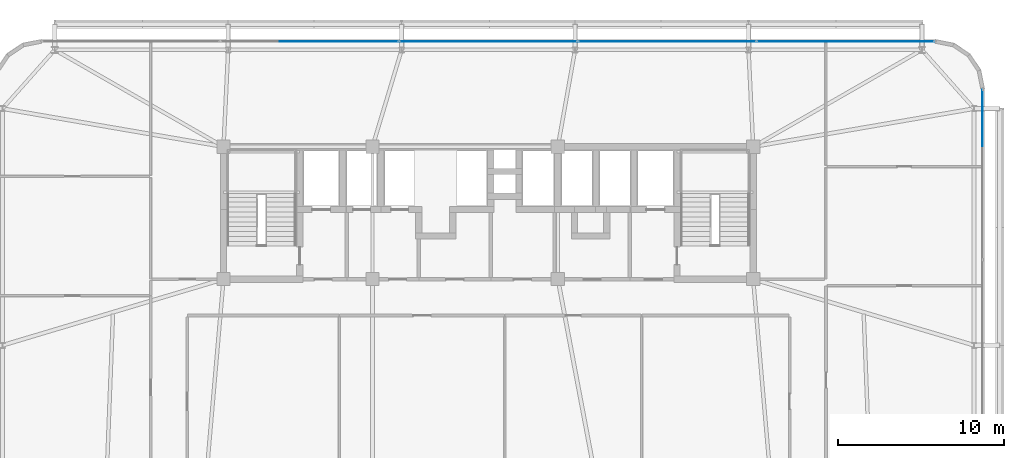
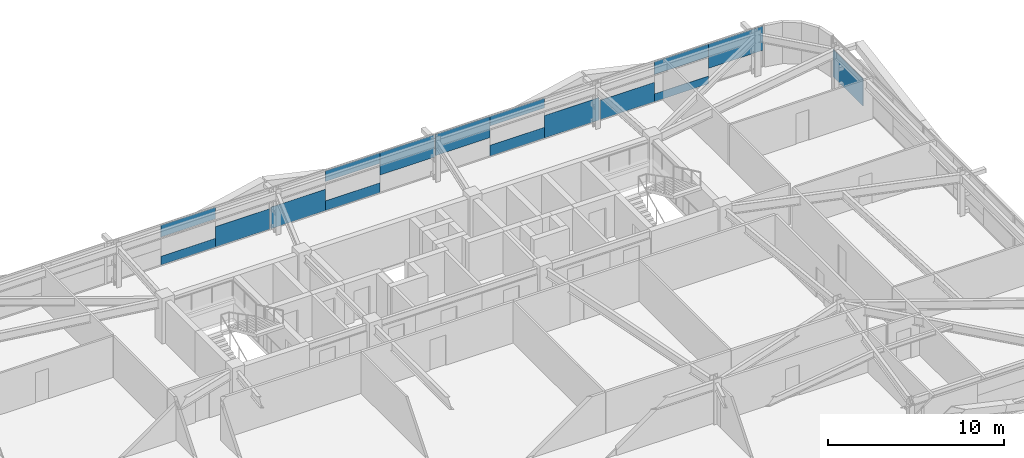
# One storey, part 30 of 45: 16 plates, 2 elements without a shape of their own.
"""IFC4 building model written with IfcOpenShell, lengths in metres."""

import ifcopenshell
import ifcopenshell.guid

model = None  # the IFC model being written
_history = None  # IfcOwnerHistory: only IFC2X3 demands one
_inside = {}  # id of a spatial element -> (the spatial element, [elements in it])
_under = {}  # id of a project, library or spatial element -> (it, [spatial elements below it])
_declared = {}  # id of a project -> (the project, [libraries it declares])
_typed = {}  # id of a type object -> (the type object, [elements of that type])
_made_of = {}  # id of a material, layer set ... -> (it, [elements and type objects made of it])


def new_model(schema):
    """Start an empty IFC model of exactly this schema.

    Asked for "IFC4X3", IfcOpenShell would pick the latest addendum, in which some entities
    have other attributes; the version numbers below select the first issue.
    IFC2X3 requires an IfcOwnerHistory on every rooted entity: one is made here for all.
    """
    global model, _history
    if schema == "IFC4X3":
        model = ifcopenshell.file(schema_version=(4, 3, 0, 0))
    else:
        model = ifcopenshell.file(schema=schema)
    _inside.clear()
    _under.clear()
    _declared.clear()
    _typed.clear()
    _made_of.clear()
    _history = None
    if model.schema == "IFC2X3":
        org = make("IfcOrganization", Name="unknown")
        user = make(
            "IfcPersonAndOrganization",
            ThePerson=make("IfcPerson", FamilyName="unknown"),
            TheOrganization=org,
        )
        app = make(
            "IfcApplication",
            ApplicationDeveloper=org,
            Version="unknown",
            ApplicationFullName="unknown",
            ApplicationIdentifier="unknown",
        )
        _history = make(
            "IfcOwnerHistory",
            OwningUser=user,
            OwningApplication=app,
            ChangeAction="ADDED",
            CreationDate=0,
        )
    return model


def make(cls, **values):
    """One entity of the class cls with the attributes given. An attribute that is None is left unset."""
    return model.create_entity(
        cls, **{name: value for name, value in values.items() if value is not None}
    )


def rooted(cls, **values):
    """An entity with a GlobalId (a new one), such as an element, a storey or a relation."""
    return make(cls, GlobalId=ifcopenshell.guid.new(), OwnerHistory=_history, **values)


def si_unit(unit_type, name, prefix=None):
    """IfcSIUnit, for example si_unit("LENGTHUNIT", "METRE", prefix="MILLI")."""
    return make("IfcSIUnit", UnitType=unit_type, Prefix=prefix, Name=name)


def assignment(units):
    """IfcUnitAssignment: the units of a project."""
    return None if units is None else make("IfcUnitAssignment", Units=units)


def point(xyz):
    """IfcCartesianPoint."""
    return None if xyz is None else make("IfcCartesianPoint", Coordinates=xyz)


def direction(xyz):
    """IfcDirection."""
    return None if xyz is None else make("IfcDirection", DirectionRatios=xyz)


def frame(location, z_axis=None, x_axis=None):
    """IfcAxis2Placement3D, a coordinate frame: its origin and axes. An axis left out is left unset."""
    return make(
        "IfcAxis2Placement3D",
        Location=point(location),
        Axis=direction(z_axis),
        RefDirection=direction(x_axis),
    )


def frame_2d(location, x_axis=None):
    """IfcAxis2Placement2D, a coordinate frame in the plane: its origin and x axis."""
    return make(
        "IfcAxis2Placement2D", Location=point(location), RefDirection=direction(x_axis)
    )


def origin():
    """The frame at (0, 0, 0) with its axes left unset."""
    return frame((0.0, 0.0, 0.0))


def origin_2d():
    """The frame at (0, 0) in the plane with its x axis left unset."""
    return frame_2d((0.0, 0.0))


def place(relative_to, where):
    """IfcLocalPlacement: puts the frame where relative to a parent placement (None: the world)."""
    return make(
        "IfcLocalPlacement", PlacementRelTo=relative_to, RelativePlacement=where
    )


def context(
    kind, dimensions, precision=None, world=None, true_north=None, identifier=None
):
    """IfcGeometricRepresentationContext, for example the 3D "Model" context."""
    return make(
        "IfcGeometricRepresentationContext",
        ContextIdentifier=identifier,
        ContextType=kind,
        CoordinateSpaceDimension=dimensions,
        Precision=precision,
        WorldCoordinateSystem=world,
        TrueNorth=true_north,
    )


def subcontext(parent, identifier, kind, view, scale=None):
    """IfcGeometricRepresentationSubContext, for example "Body" below "Model"."""
    return make(
        "IfcGeometricRepresentationSubContext",
        ContextIdentifier=identifier,
        ContextType=kind,
        ParentContext=parent,
        TargetScale=scale,
        TargetView=view,
    )


def project(units=None, contexts=None):
    """IfcProject with its units and contexts."""
    return rooted(
        "IfcProject",
        Name="project",
        RepresentationContexts=contexts,
        UnitsInContext=assignment(units),
    )


def spatial(cls, under=None, at=None, **own):
    """A site, building, storey or space (cls), placed at a placement, below another one or the project."""
    s = rooted(cls, ObjectPlacement=at, **own)
    if under is not None:
        _under.setdefault(under.id(), (under, []))[1].append(s)
    return s


def profile(cls, at=None, kind="AREA", **sizes):
    """A parametric profile (cls). Its sizes go by their IFC names, for example OverallWidth=200.0."""
    return make(cls, ProfileType=kind, Position=at, **sizes)


def rectangle(**sizes):
    """IfcRectangleProfileDef."""
    return profile("IfcRectangleProfileDef", **sizes)


def extrude(swept, where, along, depth):
    """IfcExtrudedAreaSolid: the profile swept, set in the frame where, extruded along a direction by depth."""
    return make(
        "IfcExtrudedAreaSolid",
        SweptArea=swept,
        Position=where,
        ExtrudedDirection=direction(along),
        Depth=depth,
    )


def shape(context_of_items, identifier, shape_type, items):
    """IfcShapeRepresentation: the items that make up one representation, for example the "Body"."""
    return make(
        "IfcShapeRepresentation",
        ContextOfItems=context_of_items,
        RepresentationIdentifier=identifier,
        RepresentationType=shape_type,
        Items=items,
    )


def source(mapping_origin, context_of_items, identifier, shape_type, items):
    """IfcRepresentationMap: a shape defined once, which mapped items show again and again."""
    return make(
        "IfcRepresentationMap",
        MappingOrigin=mapping_origin,
        MappedRepresentation=shape(context_of_items, identifier, shape_type, items),
    )


def transform(
    local_origin,
    x_axis=None,
    y_axis=None,
    z_axis=None,
    scale=None,
    scale2=None,
    scale3=None,
    uniform=True,
):
    """IfcCartesianTransformationOperator3D, or its non-uniform kind. x_axis, y_axis, z_axis: its Axis1, 2, 3."""
    if uniform:
        return make(
            "IfcCartesianTransformationOperator3D",
            Axis1=direction(x_axis),
            Axis2=direction(y_axis),
            LocalOrigin=point(local_origin),
            Scale=scale,
            Axis3=direction(z_axis),
        )
    return make(
        "IfcCartesianTransformationOperator3DnonUniform",
        Axis1=direction(x_axis),
        Axis2=direction(y_axis),
        LocalOrigin=point(local_origin),
        Scale=scale,
        Axis3=direction(z_axis),
        Scale2=scale2,
        Scale3=scale3,
    )


def mapped(mapping_source, mapping_target):
    """IfcMappedItem: shows the shape of a source again, moved by a transform."""
    return make(
        "IfcMappedItem", MappingSource=mapping_source, MappingTarget=mapping_target
    )


def material(Name=None, Category=None):
    """IfcMaterial."""
    return make("IfcMaterial", Name=Name, Category=Category)


def layer(
    of_material, thickness, ventilated=None, Name=None, Category=None, Priority=None
):
    """IfcMaterialLayer: one layer of a wall or slab, of a material (None: an air gap)."""
    return make(
        "IfcMaterialLayer",
        Material=of_material,
        LayerThickness=thickness,
        IsVentilated=ventilated,
        Name=Name,
        Category=Category,
        Priority=Priority,
    )


def layer_set(layers, Name=None):
    """IfcMaterialLayerSet."""
    return make("IfcMaterialLayerSet", MaterialLayers=layers, LayerSetName=Name)


def made_of(thing, what):
    """Note that an element or type object is made of a material, layer set ...; save() writes the relation."""
    if what is not None:
        _made_of.setdefault(what.id(), (what, []))[1].append(thing)
    return thing


def type_object(cls, material=None, **own):
    """A type object (cls), such as IfcWallType, which elements share."""
    return made_of(rooted(cls, **own), material)


def element(
    cls,
    number,
    at=None,
    inside=None,
    cuts=None,
    type_object=None,
    material=None,
    context=None,
    identifier="Body",
    shape_type=None,
    held_by="IfcProductDefinitionShape",
    body=None,
    shapes=None,
    **own,
):
    """One element of the class cls, such as IfcWall. Its Tag is "e" and its number.

    at: its placement. inside: the storey or other place that contains it. cuts: it is an
    opening in that element (IfcRelVoidsElement). A single representation is given by context,
    identifier, shape_type and body (its items); several are given by shapes. held_by: the class
    of the entity that holds the representations. save() writes the other relations.
    """
    e = rooted(cls, Tag="e%d" % number, ObjectPlacement=at, **own)
    if body is not None:
        shapes = [shape(context, identifier, shape_type, body)]
    if shapes is not None:
        e.Representation = make(held_by, Representations=shapes)
    if inside is not None:
        _inside.setdefault(inside.id(), (inside, []))[1].append(e)
    if cuts is not None:
        rooted(
            "IfcRelVoidsElement", RelatingBuildingElement=cuts, RelatedOpeningElement=e
        )
    if type_object is not None:
        _typed.setdefault(type_object.id(), (type_object, []))[1].append(e)
    return made_of(e, material)


def aggregate(whole, parts):
    """IfcRelAggregates: a whole, such as a stair, and the parts it consists of."""
    return rooted("IfcRelAggregates", RelatingObject=whole, RelatedObjects=parts)


def save(model, path):
    """Write the relations noted so far, then the file.

    IfcRelAggregates (storeys below a building ...), IfcRelContainedInSpatialStructure (elements
    in a storey), IfcRelDefinesByType, IfcRelAssociatesMaterial and IfcRelDeclares: one each for
    every whole, place, type object, material and project.
    """
    for whole, parts in _under.values():
        aggregate(whole, parts)
    for where, things in _inside.values():
        rooted(
            "IfcRelContainedInSpatialStructure",
            RelatedElements=things,
            RelatingStructure=where,
        )
    for kind, things in _typed.values():
        rooted("IfcRelDefinesByType", RelatedObjects=things, RelatingType=kind)
    for what, things in _made_of.values():
        rooted("IfcRelAssociatesMaterial", RelatedObjects=things, RelatingMaterial=what)
    for by, libraries in _declared.values():
        rooted("IfcRelDeclares", RelatingContext=by, RelatedDefinitions=libraries)
    model.write(path)


model = new_model("IFC4")

# Units and contexts
model_context = context("Model", 3, precision=1e-05, world=origin(), true_north=direction((0.0, 1.0)))
body_context = subcontext(model_context, "Body", "Model", "MODEL_VIEW")
ifc_project = project(units=[si_unit("LENGTHUNIT", "METRE"), si_unit("AREAUNIT", "SQUARE_METRE"), si_unit("VOLUMEUNIT", "CUBIC_METRE"), si_unit("PLANEANGLEUNIT", "RADIAN"), si_unit("MASSUNIT", "GRAM", prefix="KILO")], contexts=[model_context])

# Site, building, storey
site_placement = place(None, origin())
site = spatial("IfcSite", under=ifc_project, at=site_placement, CompositionType="ELEMENT")
building_placement = place(site_placement, origin())
building = spatial("IfcBuilding", under=site, at=building_placement, Name="Taldren Reach Tower", CompositionType="ELEMENT")
storey_placement = place(building_placement, frame((0.0, 0.0, 57.75)))
storey = spatial("IfcBuildingStorey", under=building, at=storey_placement, Name="L17", CompositionType="ELEMENT", Elevation=57.75)

# Curtain wall, plates
ifc_material_1 = material(Name="Aluminium and Low-E Glass Unitised System", Category="aluminium")
ifc_layer_1 = layer(ifc_material_1, 0.159912109375)
ifc_layer_set_1 = layer_set([ifc_layer_1], Name="Aluminium and Low-E Glass Unitised System")
curtain_wall_type = type_object("IfcCurtainWallType", Name="CW-SYS-2", PredefinedType="NOTDEFINED", material=ifc_layer_set_1)
curtain_wall_1_placement = place(storey_placement, origin())
curtain_wall_1 = element("IfcCurtainWall", 1, at=curtain_wall_1_placement, inside=storey, type_object=curtain_wall_type, Name="Unitised curtain wall CW-L17-N", PredefinedType="NOTDEFINED")
ifc_material_2 = material(Name="Solar-Control Double Glazed IGU", Category="glass")
ifc_layer_2 = layer(ifc_material_2, 0.031982421875)
ifc_layer_set_2 = layer_set([ifc_layer_2], Name="Solar-Control Double Glazed IGU")
plate_type = type_object("IfcPlateType", Name="CW-PNL-IGU32", PredefinedType="CURTAIN_PANEL", material=ifc_layer_set_2)
shared_shape_1 = source(origin(), body_context, "Body", "SweptSolid", [
    extrude(rectangle(XDim=3.578369140625, YDim=0.031982421875, at=origin_2d()), origin(), (0.0, 0.0, 1.0), 0.606689453125),
])
plate_1_placement = place(storey_placement, frame((24.199951171875, 38.360107421875, 0.05517578125), z_axis=(0.0, 0.0, 1.0), x_axis=(-1.0, 0.0, 0.0)))
plate_1 = element("IfcPlate", 2, at=plate_1_placement, type_object=plate_type, Name="CW-2 panel 4.1 part 2", PredefinedType="CURTAIN_PANEL", context=body_context, shape_type="MappedRepresentation", body=[
    mapped(shared_shape_1, transform((0.0, 0.0, 0.0), scale=1.0)),
])
shared_shape_2 = source(origin(), body_context, "Body", "SweptSolid", [
    extrude(rectangle(XDim=3.578369140625, YDim=0.031982421875, at=origin_2d()), origin(), (0.0, 0.0, 1.0), 0.811279296875),
])
plate_2_placement = place(storey_placement, frame((24.199951171875, 38.360107421875, 2.00390625), z_axis=(0.0, 0.0, 1.0), x_axis=(-1.0, 0.0, 0.0)))
plate_2 = element("IfcPlate", 3, at=plate_2_placement, type_object=plate_type, Name="CW-2 panel 4.1 part 3", PredefinedType="CURTAIN_PANEL", context=body_context, shape_type="MappedRepresentation", body=[
    mapped(shared_shape_2, transform((0.0, 0.0, 0.0), scale=1.0)),
])
shared_shape_3 = source(origin(), body_context, "Body", "SweptSolid", [
    extrude(rectangle(XDim=3.578369140625, YDim=0.031982421875, at=origin_2d()), origin(), (0.0, 0.0, 1.0), 1.415771484375),
])
plate_3_placement = place(storey_placement, frame((27.7783203125, 38.360107421875, 0.05517578125), z_axis=(0.0, 0.0, 1.0), x_axis=(-1.0, 0.0, 0.0)))
plate_3 = element("IfcPlate", 4, at=plate_3_placement, type_object=plate_type, Name="CW-2 panel 4.1 part 1", PredefinedType="CURTAIN_PANEL", context=body_context, shape_type="MappedRepresentation", body=[
    mapped(shared_shape_3, transform((0.0, 0.0, 0.0), scale=1.0)),
])
shared_shape_4 = source(origin(), body_context, "Body", "SweptSolid", [
    extrude(rectangle(XDim=3.578369140625, YDim=0.031982421875, at=origin_2d()), origin(), (0.0, 0.0, 1.0), 1.48828125),
])
plate_4_placement = place(storey_placement, frame((31.421630859375, 38.360107421875, 0.054931640625), z_axis=(0.0, 0.0, 1.0), x_axis=(-1.0, 0.0, 0.0)))
plate_4 = element("IfcPlate", 5, at=plate_4_placement, type_object=plate_type, Name="CW-2 panel 3.1 part 4", PredefinedType="CURTAIN_PANEL", context=body_context, shape_type="MappedRepresentation", body=[
    mapped(shared_shape_4, transform((0.0, 0.0, 0.0), scale=1.0)),
])
shared_shape_5 = source(origin(), body_context, "Body", "SweptSolid", [
    extrude(rectangle(XDim=3.578369140625, YDim=0.031982421875, at=origin_2d()), origin(), (0.0, 0.0, 1.0), 0.678955078125),
])
plate_5_placement = place(storey_placement, frame((35.0, 38.360107421875, 0.05517578125), z_axis=(0.0, 0.0, 1.0), x_axis=(-1.0, 0.0, 0.0)))
plate_5 = element("IfcPlate", 6, at=plate_5_placement, type_object=plate_type, Name="CW-2 panel 3.1 part 2", PredefinedType="CURTAIN_PANEL", context=body_context, shape_type="MappedRepresentation", body=[
    mapped(shared_shape_5, transform((0.0, 0.0, 0.0), scale=1.0)),
])
shared_shape_6 = source(origin(), body_context, "Body", "SweptSolid", [
    extrude(rectangle(XDim=3.578369140625, YDim=0.031982421875, at=origin_2d()), origin(), (0.0, 0.0, 1.0), 0.739013671875),
])
plate_6_placement = place(storey_placement, frame((35.0, 38.360107421875, 2.076171875), z_axis=(0.0, 0.0, 1.0), x_axis=(-1.0, 0.0, 0.0)))
plate_6 = element("IfcPlate", 7, at=plate_6_placement, type_object=plate_type, Name="CW-2 panel 3.1 part 3", PredefinedType="CURTAIN_PANEL", context=body_context, shape_type="MappedRepresentation", body=[
    mapped(shared_shape_6, transform((0.0, 0.0, 0.0), scale=1.0)),
])
shared_shape_7 = source(origin(), body_context, "Body", "SweptSolid", [
    extrude(rectangle(XDim=3.578369140625, YDim=0.031982421875, at=origin_2d()), origin(), (0.0, 0.0, 1.0), 1.548095703125),
])
plate_7_placement = place(storey_placement, frame((38.578369140625, 38.360107421875, 1.26708984375), z_axis=(0.0, 0.0, 1.0), x_axis=(-1.0, 0.0, 0.0)))
plate_7 = element("IfcPlate", 8, at=plate_7_placement, type_object=plate_type, Name="CW-2 panel 3.1 part 1", PredefinedType="CURTAIN_PANEL", context=body_context, shape_type="MappedRepresentation", body=[
    mapped(shared_shape_7, transform((0.0, 0.0, 0.0), scale=1.0)),
])
shared_shape_8 = source(origin(), body_context, "Body", "SweptSolid", [
    extrude(rectangle(XDim=3.578369140625, YDim=0.031982421875, at=origin_2d()), origin(), (0.0, 0.0, 1.0), 1.475830078125),
])
plate_8_placement = place(storey_placement, frame((42.2216796875, 38.360107421875, 1.33935546875), z_axis=(0.0, 0.0, 1.0), x_axis=(-1.0, 0.0, 0.0)))
plate_8 = element("IfcPlate", 9, at=plate_8_placement, type_object=plate_type, Name="CW-2 panel 2.1 part 4", PredefinedType="CURTAIN_PANEL", context=body_context, shape_type="MappedRepresentation", body=[
    mapped(shared_shape_8, transform((0.0, 0.0, 0.0), scale=1.0)),
])
shared_shape_9 = source(origin(), body_context, "Body", "SweptSolid", [
    extrude(rectangle(XDim=3.578369140625, YDim=0.031982421875, at=origin_2d()), origin(), (0.0, 0.0, 1.0), 0.751220703125),
])
plate_9_placement = place(storey_placement, frame((45.800048828125, 38.360107421875, 0.05517578125), z_axis=(0.0, 0.0, 1.0), x_axis=(-1.0, 0.0, 0.0)))
plate_9 = element("IfcPlate", 10, at=plate_9_placement, type_object=plate_type, Name="CW-2 panel 2.1 part 2", PredefinedType="CURTAIN_PANEL", context=body_context, shape_type="MappedRepresentation", body=[
    mapped(shared_shape_9, transform((0.0, 0.0, 0.0), scale=1.0)),
])
shared_shape_10 = source(origin(), body_context, "Body", "SweptSolid", [
    extrude(rectangle(XDim=3.578369140625, YDim=0.031982421875, at=origin_2d()), origin(), (0.0, 0.0, 1.0), 0.66650390625),
])
plate_10_placement = place(storey_placement, frame((45.800048828125, 38.360107421875, 2.1484375), z_axis=(0.0, 0.0, 1.0), x_axis=(-1.0, 0.0, 0.0)))
plate_10 = element("IfcPlate", 11, at=plate_10_placement, type_object=plate_type, Name="CW-2 panel 2.1 part 3", PredefinedType="CURTAIN_PANEL", context=body_context, shape_type="MappedRepresentation", body=[
    mapped(shared_shape_10, transform((0.0, 0.0, 0.0), scale=1.0)),
])
shared_shape_11 = source(origin(), body_context, "Body", "SweptSolid", [
    extrude(rectangle(XDim=3.578369140625, YDim=0.031982421875, at=origin_2d()), origin(), (0.0, 0.0, 1.0), 1.560546875),
])
plate_11_placement = place(storey_placement, frame((49.37841796875, 38.360107421875, 0.054931640625), z_axis=(0.0, 0.0, 1.0), x_axis=(-1.0, 0.0, 0.0)))
plate_11 = element("IfcPlate", 12, at=plate_11_placement, type_object=plate_type, Name="CW-2 panel 2.1 part 1", PredefinedType="CURTAIN_PANEL", context=body_context, shape_type="MappedRepresentation", body=[
    mapped(shared_shape_11, transform((0.0, 0.0, 0.0), scale=1.0)),
])
shared_shape_12 = source(origin(), body_context, "Body", "SweptSolid", [
    extrude(rectangle(XDim=3.5673828125, YDim=0.031982421875, at=origin_2d()), origin(), (0.0, 0.0, 1.0), 1.345947265625),
])
plate_12_placement = place(storey_placement, frame((53.016357421875, 38.360107421875, 0.05517578125), z_axis=(0.0, 0.0, 1.0), x_axis=(-1.0, 0.0, 0.0)))
plate_12 = element("IfcPlate", 13, at=plate_12_placement, type_object=plate_type, Name="CW-2 panel 1.1 part 4", PredefinedType="CURTAIN_PANEL", context=body_context, shape_type="MappedRepresentation", body=[
    mapped(shared_shape_12, transform((0.0, 0.0, 0.0), scale=1.0)),
])
shared_shape_13 = source(origin(), body_context, "Body", "SweptSolid", [
    extrude(rectangle(XDim=3.5673828125, YDim=0.031982421875, at=origin_2d()), origin(), (0.0, 0.0, 1.0), 0.5390625),
])
plate_13_placement = place(storey_placement, frame((56.583740234375, 38.360107421875, 0.054931640625), z_axis=(0.0, 0.0, 1.0), x_axis=(-1.0, 0.0, 0.0)))
plate_13 = element("IfcPlate", 14, at=plate_13_placement, type_object=plate_type, Name="CW-2 panel 1.1 part 2", PredefinedType="CURTAIN_PANEL", context=body_context, shape_type="MappedRepresentation", body=[
    mapped(shared_shape_13, transform((0.0, 0.0, 0.0), scale=1.0)),
])
shared_shape_14 = source(origin(), body_context, "Body", "SweptSolid", [
    extrude(rectangle(XDim=3.5673828125, YDim=0.031982421875, at=origin_2d()), origin(), (0.0, 0.0, 1.0), 0.88134765625),
])
plate_14_placement = place(storey_placement, frame((56.583740234375, 38.360107421875, 1.93359375), z_axis=(0.0, 0.0, 1.0), x_axis=(-1.0, 0.0, 0.0)))
plate_14 = element("IfcPlate", 15, at=plate_14_placement, type_object=plate_type, Name="CW-2 panel 1.1 part 3", PredefinedType="CURTAIN_PANEL", context=body_context, shape_type="MappedRepresentation", body=[
    mapped(shared_shape_14, transform((0.0, 0.0, 0.0), scale=1.0)),
])
shared_shape_15 = source(origin(), body_context, "Body", "SweptSolid", [
    extrude(rectangle(XDim=3.5673828125, YDim=0.031982421875, at=origin_2d()), origin(), (0.0, 0.0, 1.0), 1.68798828125),
])
plate_15_placement = place(storey_placement, frame((60.1513671875, 38.360107421875, 1.126953125), z_axis=(0.0, 0.0, 1.0), x_axis=(-1.0, 0.0, 0.0)))
plate_15 = element("IfcPlate", 16, at=plate_15_placement, type_object=plate_type, Name="CW-2 panel 1.1 part 1", PredefinedType="CURTAIN_PANEL", context=body_context, shape_type="MappedRepresentation", body=[
    mapped(shared_shape_15, transform((0.0, 0.0, 0.0), scale=1.0)),
])
aggregate(curtain_wall_1, [plate_15, plate_13, plate_14, plate_12, plate_11, plate_9, plate_10, plate_8, plate_7, plate_5, plate_6, plate_4, plate_3, plate_1, plate_2])

# Curtain wall, plate
curtain_wall_2_placement = place(storey_placement, origin())
curtain_wall_2 = element("IfcCurtainWall", 17, at=curtain_wall_2_placement, inside=storey, type_object=curtain_wall_type, Name="Unitised curtain wall CW-L17-E", PredefinedType="NOTDEFINED")
shared_shape_16 = source(origin(), body_context, "Body", "SweptSolid", [
    extrude(rectangle(XDim=3.411865234375, YDim=0.031982421875, at=origin_2d()), origin(), (0.0, 0.0, 1.0), 1.89404296875),
])
plate_16_placement = place(storey_placement, frame((64.860107421875, 33.72900390625, 0.05517578125), z_axis=(0.0, 0.0, 1.0), x_axis=(0.0, 1.0, 0.0)))
plate_16 = element("IfcPlate", 18, at=plate_16_placement, type_object=plate_type, Name="CW-2 panel 3.1 part 5", PredefinedType="CURTAIN_PANEL", context=body_context, shape_type="MappedRepresentation", body=[
    mapped(shared_shape_16, transform((0.0, 0.0, 0.0), scale=1.0)),
])
aggregate(curtain_wall_2, [plate_16])

save(model, "model.ifc")
